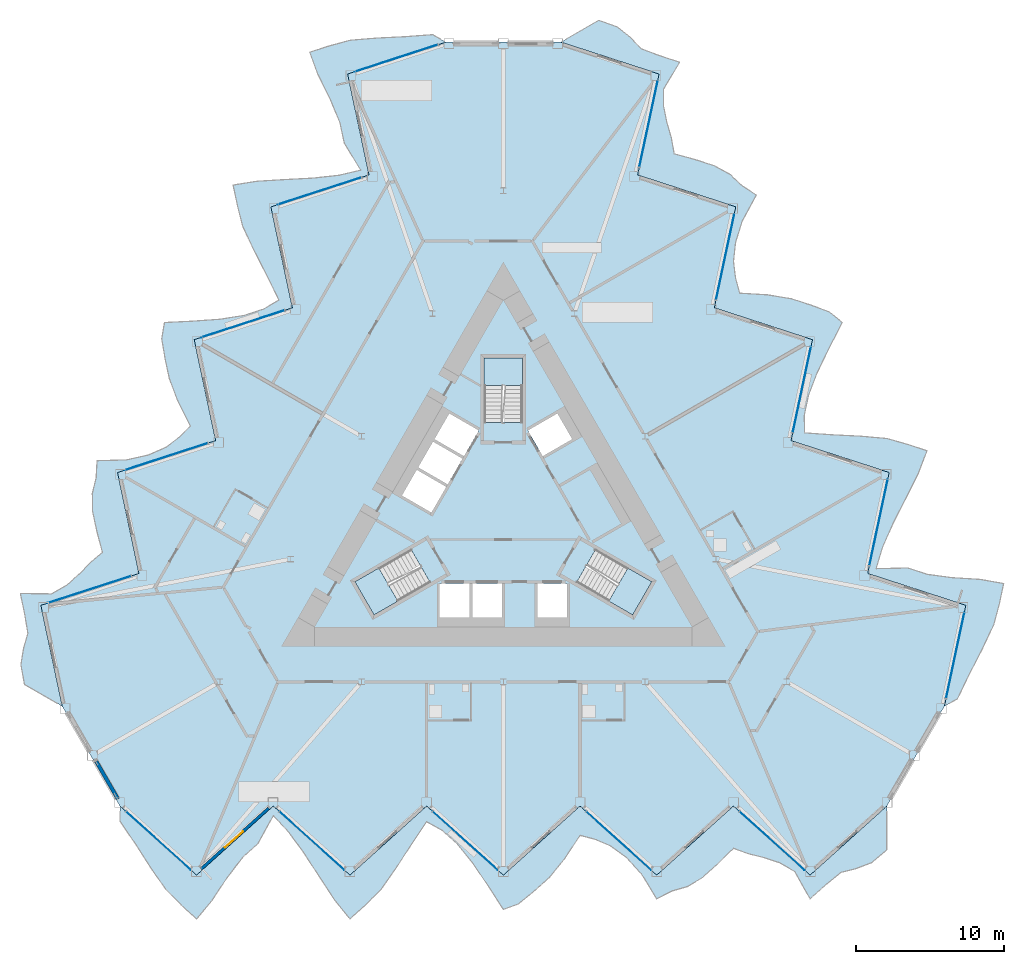
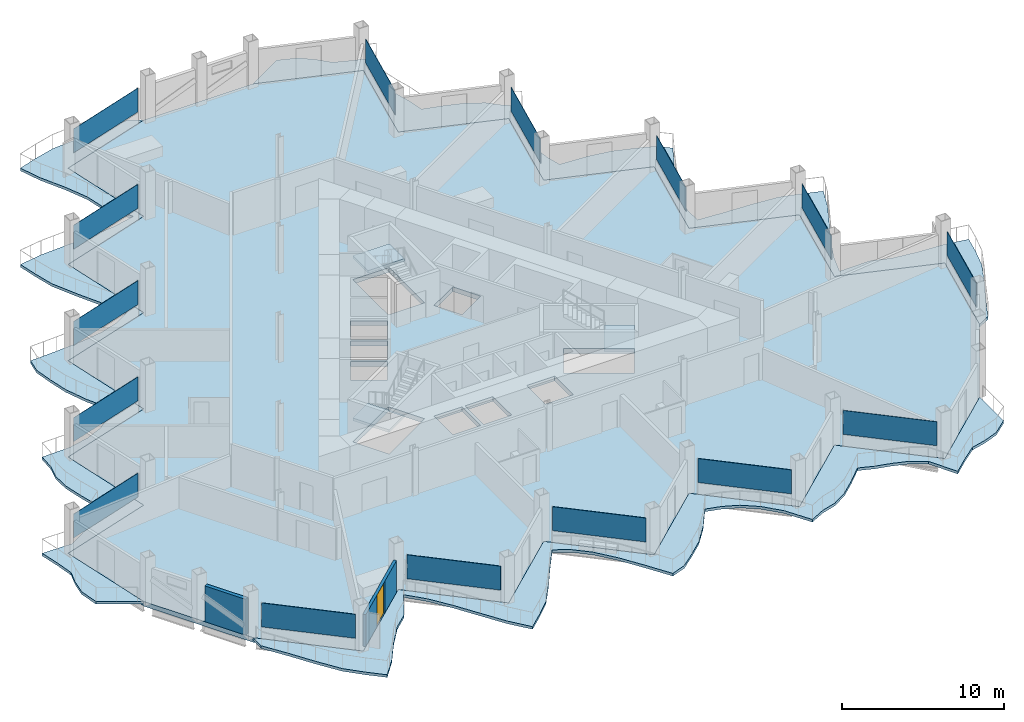
# One storey, part 10 of 23: 15 plates, 7 slabs, 2 walls, 1 door, 1 opening, 18 elements without a shape of their own.
"""IFC4 building model written with IfcOpenShell, lengths in metres."""

from ifc_helpers import new_model, si_unit, direction, frame, frame_2d, origin, origin_2d, place, context, subcontext, project, spatial, polyline, rectangle, outline, extrude, material, layer, layer_set, type_object, element, fill, aggregate, save


model = new_model("IFC4")

# Units and contexts
model_context = context("Model", 3, precision=1e-05, world=origin(), true_north=direction((0.0, 1.0)))
body_context = subcontext(model_context, "Body", "Model", "MODEL_VIEW")
ifc_project = project(units=[si_unit("LENGTHUNIT", "METRE"), si_unit("AREAUNIT", "SQUARE_METRE"), si_unit("VOLUMEUNIT", "CUBIC_METRE"), si_unit("PLANEANGLEUNIT", "RADIAN"), si_unit("MASSUNIT", "GRAM", prefix="KILO")], contexts=[model_context])

# Site, building, storey
site_placement = place(None, origin())
site = spatial("IfcSite", under=ifc_project, at=site_placement, CompositionType="ELEMENT")
building_placement = place(site_placement, origin())
building = spatial("IfcBuilding", under=site, at=building_placement, Name="Cormorant Prow Tower", CompositionType="ELEMENT")
storey_placement = place(building_placement, frame((0.0, 0.0, 267.0)))
storey = spatial("IfcBuildingStorey", under=building, at=storey_placement, Name="L60", CompositionType="ELEMENT", Elevation=267.0)

# Slabs
ifc_material_1 = material(Name="Concrete C40/50", Category="concrete")
ifc_layer_1 = layer(ifc_material_1, 0.199951171875)
ifc_layer_set_1 = layer_set([ifc_layer_1], Name="Concrete C40/50")
slab_type_1 = type_object("IfcSlabType", Name="Balcony slab 200", PredefinedType="FLOOR", material=ifc_layer_set_1)
slab_1_placement = place(storey_placement, frame((0.0, 0.0, -0.199951171875)))
element("IfcSlab", 1, at=slab_1_placement, inside=storey, type_object=slab_type_1, Name="Balcony slab S L60", PredefinedType="FLOOR", context=body_context, shape_type="SweptSolid", body=[
    extrude(outline(polyline([(-25.913330078125, -19.456298828125), (-25.913330078125, -20.472412109375), (-24.876953125, -21.995361328125), (-23.84033203125, -23.604248046875), (-22.8037109375, -25.101806640625), (-21.767333984375, -26.139404296875), (-20.730712890625, -27.07275390625), (-19.694091796875, -25.836669921875), (-18.65771484375, -24.27197265625), (-17.62109375, -22.9228515625), (-16.58447265625, -21.989501953125), (-15.548095703125, -20.1064453125), (-14.511474609375, -21.20947265625), (-13.474853515625, -22.628173828125), (-12.4384765625, -24.22119140625), (-11.40185546875, -25.794921875), (-10.365234375, -27.07275390625), (-9.328857421875, -26.139404296875), (-8.292236328125, -25.13427734375), (-7.255859375, -23.652587890625), (-6.21923828125, -22.045166015625), (-5.1826171875, -20.50927734375), (-4.146240234375, -21.087890625), (-3.109619140625, -22.017822265625), (-2.072998046875, -23.300537109375), (-1.03662109375, -24.833740234375), (0.0, -26.441650390625), (1.03662109375, -26.060302734375), (2.072998046875, -25.206298828125), (3.109619140625, -24.27294921875), (4.146240234375, -23.004638671875), (5.1826171875, -21.432861328125), (6.21923828125, -21.705322265625), (7.255859375, -22.148681640625), (8.292236328125, -22.90625), (9.328857421875, -24.029541015625), (10.365234375, -25.722900390625), (11.40185546875, -25.19384765625), (12.4384765625, -24.893798828125), (13.474853515625, -24.27294921875), (14.511474609375, -23.339599609375), (15.548095703125, -22.309326171875), (16.58447265625, -22.68212890625), (17.62109375, -22.93994140625), (18.65771484375, -23.280517578125), (19.694091796875, -23.87744140625), (20.730712890625, -25.722900390625), (21.767333984375, -24.78955078125), (22.8037109375, -23.93896484375), (23.84033203125, -23.678466796875), (24.876953125, -23.28466796875), (25.913330078125, -22.40625), (25.913330078125, -19.456298828125), (24.876953125, -20.3896484375), (23.84033203125, -21.322998046875), (22.8037109375, -22.256103515625), (21.767333984375, -23.189453125), (20.730712890625, -24.122802734375), (19.694091796875, -23.189453125), (18.65771484375, -22.256103515625), (17.62109375, -21.322998046875), (16.58447265625, -20.3896484375), (15.548095703125, -19.456298828125), (14.511474609375, -20.3896484375), (13.474853515625, -21.322998046875), (12.4384765625, -22.256103515625), (11.40185546875, -23.189453125), (10.365234375, -24.122802734375), (9.328857421875, -23.189453125), (8.292236328125, -22.256103515625), (7.255859375, -21.322998046875), (6.21923828125, -20.3896484375), (5.1826171875, -19.456298828125), (4.146240234375, -20.3896484375), (3.109619140625, -21.322998046875), (2.072998046875, -22.256103515625), (1.03662109375, -23.189453125), (0.0, -24.122802734375), (-1.03662109375, -23.189453125), (-2.072998046875, -22.256103515625), (-3.109619140625, -21.322998046875), (-4.146240234375, -20.3896484375), (-5.1826171875, -19.456298828125), (-6.21923828125, -20.3896484375), (-7.255859375, -21.322998046875), (-8.292236328125, -22.256103515625), (-9.328857421875, -23.189453125), (-10.365234375, -24.122802734375), (-11.40185546875, -23.189453125), (-12.4384765625, -22.256103515625), (-13.474853515625, -21.322998046875), (-14.511474609375, -20.3896484375), (-15.548095703125, -19.456298828125), (-16.58447265625, -20.3896484375), (-17.62109375, -21.322998046875), (-18.65771484375, -22.256103515625), (-19.694091796875, -23.189453125), (-20.730712890625, -24.122802734375), (-21.767333984375, -23.189453125), (-22.8037109375, -22.256103515625), (-23.84033203125, -21.322998046875), (-24.876953125, -20.3896484375), (-25.913330078125, -19.456298828125)])), origin(), (0.0, 0.0, 1.0), 0.199951171875),
])
slab_2_placement = place(storey_placement, frame((0.0, 0.0, -0.199951171875)))
element("IfcSlab", 2, at=slab_2_placement, inside=storey, type_object=slab_type_1, Name="Balcony slab ENE L60", PredefinedType="FLOOR", context=body_context, shape_type="SweptSolid", body=[
    extrude(outline(polyline([(29.806396484375, -12.71337890625), (30.686279296875, -12.205322265625), (31.48681640625, -10.54638671875), (32.362060546875, -8.84423828125), (33.140625, -7.19775390625), (33.52099609375, -5.78125), (33.81103515625, -4.4169921875), (32.22216796875, -4.137451171875), (30.34912109375, -4.02197265625), (28.662353515625, -3.798828125), (27.3359375, -3.367919921875), (25.186767578125, -3.41162109375), (25.62353515625, -1.962646484375), (26.334228515625, -0.35546875), (27.1953125, 1.338623046875), (28.0400390625, 3.023193359375), (28.62841796875, 4.559814453125), (27.3017578125, 4.99072265625), (25.9130859375, 5.3857421875), (24.111572265625, 5.542724609375), (22.201416015625, 5.63671875), (20.352783203125, 5.766357421875), (20.335693359375, 6.953125), (20.622802734375, 8.31591796875), (21.215576171875, 9.85498046875), (22.02490234375, 11.51904296875), (22.899169921875, 13.220703125), (22.050537109375, 13.927734375), (20.792724609375, 14.3984375), (19.466064453125, 14.829345703125), (17.849609375, 15.093017578125), (15.969970703125, 15.204833984375), (15.687744140625, 16.238525390625), (15.553466796875, 17.35791015625), (15.691162109375, 18.634521484375), (16.14599609375, 20.09375), (17.093994140625, 21.838134765625), (16.117431640625, 22.47119140625), (15.339599609375, 23.218994140625), (14.283447265625, 23.80615234375), (12.95703125, 24.237060546875), (11.54638671875, 24.61962890625), (11.35107421875, 25.70361328125), (11.05615234375, 26.730224609375), (10.832763671875, 27.79833984375), (10.831298828125, 28.994384765625), (11.9111328125, 30.814697265625), (10.584716796875, 31.245849609375), (9.329833984375, 31.71826171875), (8.586181640625, 32.485595703125), (7.726806640625, 33.186279296875), (6.44775390625, 33.644775390625), (3.89306640625, 32.169677734375), (5.219482421875, 31.73876953125), (6.5458984375, 31.307861328125), (7.87255859375, 30.876708984375), (9.198974609375, 30.44580078125), (10.525634765625, 30.0146484375), (10.235595703125, 28.650390625), (9.945556640625, 27.2861328125), (9.655517578125, 25.921875), (9.36572265625, 24.557373046875), (9.07568359375, 23.193115234375), (10.402099609375, 22.76220703125), (11.728759765625, 22.3310546875), (13.05517578125, 21.900146484375), (14.3818359375, 21.468994140625), (15.708251953125, 21.0380859375), (15.418212890625, 19.673828125), (15.128173828125, 18.309326171875), (14.83837890625, 16.945068359375), (14.54833984375, 15.580810546875), (14.25830078125, 14.216552734375), (15.5849609375, 13.785400390625), (16.911376953125, 13.3544921875), (18.23779296875, 12.92333984375), (19.564453125, 12.492431640625), (20.890869140625, 12.061279296875), (20.60107421875, 10.697021484375), (20.31103515625, 9.332763671875), (20.02099609375, 7.968505859375), (19.73095703125, 6.604248046875), (19.44091796875, 5.23974609375), (20.767578125, 4.808837890625), (22.093994140625, 4.377685546875), (23.420654296875, 3.94677734375), (24.7470703125, 3.515869140625), (26.07373046875, 3.084716796875), (25.78369140625, 1.720458984375), (25.49365234375, 0.356201171875), (25.20361328125, -1.00830078125), (24.91357421875, -2.37255859375), (24.623779296875, -3.73681640625), (25.9501953125, -4.16796875), (27.276611328125, -4.598876953125), (28.603271484375, -5.02978515625), (29.9296875, -5.4609375), (31.25634765625, -5.891845703125), (30.96630859375, -7.25634765625), (30.67626953125, -8.62060546875), (30.38623046875, -9.98486328125), (30.096435546875, -11.34912109375), (29.806396484375, -12.71337890625)])), origin(), (0.0, 0.0, 1.0), 0.199951171875),
])
slab_3_placement = place(storey_placement, frame((0.0, 0.0, -0.199951171875)))
element("IfcSlab", 3, at=slab_3_placement, inside=storey, type_object=slab_type_1, Name="Balcony slab WNW L60", PredefinedType="FLOOR", context=body_context, shape_type="SweptSolid", body=[
    extrude(outline(polyline([(-3.89306640625, 32.169677734375), (-4.77294921875, 32.677734375), (-6.610107421875, 32.541748046875), (-8.521728515625, 32.448486328125), (-10.3369140625, 32.299560546875), (-11.75390625, 31.920654296875), (-13.080322265625, 31.48974609375), (-12.528076171875, 29.973876953125), (-11.69140625, 28.2939453125), (-11.041259765625, 26.7216796875), (-10.751220703125, 25.357421875), (-9.638671875, 23.518310546875), (-11.112060546875, 23.172119140625), (-12.859130859375, 22.98388671875), (-14.7568359375, 22.882568359375), (-16.63818359375, 22.771728515625), (-18.262939453125, 22.512939453125), (-17.97314453125, 21.148681640625), (-17.620849609375, 19.74853515625), (-16.85595703125, 18.10986328125), (-15.982177734375, 16.40869140625), (-15.170166015625, 14.742919921875), (-16.189453125, 14.134521484375), (-17.51318359375, 13.701904296875), (-19.142333984375, 13.445556640625), (-20.98828125, 13.314453125), (-22.899169921875, 13.220703125), (-23.087158203125, 12.132568359375), (-22.86572265625, 10.807861328125), (-22.57568359375, 9.443359375), (-21.995849609375, 7.91162109375), (-21.15283203125, 6.22802734375), (-21.906982421875, 5.466552734375), (-22.80908203125, 4.79052734375), (-23.983642578125, 4.271728515625), (-25.474609375, 3.935791015625), (-27.459228515625, 3.884765625), (-27.519287109375, 2.72265625), (-27.77783203125, 1.675048828125), (-27.758544921875, 0.466796875), (-27.468505859375, -0.8974609375), (-27.094482421875, -2.310302734375), (-27.935546875, -3.021484375), (-28.67724609375, -3.790283203125), (-29.490478515625, -4.517578125), (-30.525634765625, -5.116943359375), (-32.641845703125, -5.091796875), (-32.35205078125, -6.456298828125), (-32.1337890625, -7.779052734375), (-32.426513671875, -8.80712890625), (-32.603515625, -9.901611328125), (-32.361083984375, -11.238525390625), (-29.806396484375, -12.71337890625), (-30.096435546875, -11.34912109375), (-30.38623046875, -9.98486328125), (-30.67626953125, -8.62060546875), (-30.96630859375, -7.25634765625), (-31.25634765625, -5.891845703125), (-29.9296875, -5.4609375), (-28.603271484375, -5.02978515625), (-27.276611328125, -4.598876953125), (-25.9501953125, -4.16796875), (-24.623779296875, -3.73681640625), (-24.91357421875, -2.37255859375), (-25.20361328125, -1.00830078125), (-25.49365234375, 0.356201171875), (-25.78369140625, 1.720458984375), (-26.07373046875, 3.084716796875), (-24.7470703125, 3.515869140625), (-23.420654296875, 3.94677734375), (-22.093994140625, 4.377685546875), (-20.767578125, 4.808837890625), (-19.44091796875, 5.23974609375), (-19.73095703125, 6.604248046875), (-20.02099609375, 7.968505859375), (-20.31103515625, 9.332763671875), (-20.60107421875, 10.697021484375), (-20.890869140625, 12.061279296875), (-19.564453125, 12.492431640625), (-18.23779296875, 12.92333984375), (-16.911376953125, 13.3544921875), (-15.5849609375, 13.785400390625), (-14.25830078125, 14.216552734375), (-14.54833984375, 15.580810546875), (-14.83837890625, 16.945068359375), (-15.128173828125, 18.309326171875), (-15.418212890625, 19.673828125), (-15.708251953125, 21.0380859375), (-14.3818359375, 21.468994140625), (-13.05517578125, 21.900146484375), (-11.728759765625, 22.3310546875), (-10.402099609375, 22.76220703125), (-9.07568359375, 23.193115234375), (-9.36572265625, 24.557373046875), (-9.655517578125, 25.921875), (-9.945556640625, 27.2861328125), (-10.235595703125, 28.650390625), (-10.525634765625, 30.0146484375), (-9.198974609375, 30.44580078125), (-7.87255859375, 30.876708984375), (-6.5458984375, 31.307861328125), (-5.219482421875, 31.73876953125), (-3.89306640625, 32.169677734375)])), origin(), (0.0, 0.0, 1.0), 0.199951171875),
])

# Curtain wall, plate
ifc_material_2 = material(Name="Aluminium 6063-T6", Category="aluminium")
ifc_layer_2 = layer(ifc_material_2, 0.179931640625)
ifc_layer_set_2 = layer_set([ifc_layer_2], Name="Aluminium 6063-T6")
curtain_wall_type = type_object("IfcCurtainWallType", Name="Hotel unitised curtain wall 180", PredefinedType="NOTDEFINED", material=ifc_layer_set_2)
curtain_wall_1_placement = place(storey_placement, origin())
curtain_wall_1 = element("IfcCurtainWall", 4, at=curtain_wall_1_placement, inside=storey, type_object=curtain_wall_type, Name="Hotel curtain wall S00", PredefinedType="NOTDEFINED")
ifc_material_3 = material(Name="Clear glass", Category="glass")
ifc_layer_3 = layer(ifc_material_3, 0.028076171875)
ifc_layer_set_3 = layer_set([ifc_layer_3], Name="Clear glass")
plate_type = type_object("IfcPlateType", Name="Hotel glass panel 28", PredefinedType="CURTAIN_PANEL", material=ifc_layer_set_3)
plate_1_placement = place(storey_placement, frame((-23.2998046875, -21.8095703125, 0.900146484375), z_axis=(0.0, 0.0, 1.0), x_axis=(0.743144856192, -0.669130572247, 0.0)))
plate_1 = element("IfcPlate", 5, at=plate_1_placement, type_object=plate_type, Name="Hotel glass panel S00", PredefinedType="CURTAIN_PANEL", context=body_context, shape_type="SweptSolid", body=[
    extrude(rectangle(XDim=5.911865234375, YDim=0.028076171875, at=origin_2d()), origin(), (0.0, 0.0, 1.0), 1.80078125),
])
aggregate(curtain_wall_1, [plate_1])

curtain_wall_2_placement = place(storey_placement, origin())
curtain_wall_2 = element("IfcCurtainWall", 6, at=curtain_wall_2_placement, inside=storey, type_object=curtain_wall_type, Name="Hotel curtain wall S02", PredefinedType="NOTDEFINED")
plate_2_placement = place(storey_placement, frame((-12.934326171875, -21.8095703125, 0.900146484375), z_axis=(0.0, 0.0, 1.0), x_axis=(0.743144920389, -0.669130500949, 0.0)))
plate_2 = element("IfcPlate", 7, at=plate_2_placement, type_object=plate_type, Name="Hotel glass panel S02", PredefinedType="CURTAIN_PANEL", context=body_context, shape_type="SweptSolid", body=[
    extrude(rectangle(XDim=5.911865234375, YDim=0.028076171875, at=origin_2d()), origin(), (0.0, 0.0, 1.0), 1.80078125),
])
aggregate(curtain_wall_2, [plate_2])

curtain_wall_3_placement = place(storey_placement, origin())
curtain_wall_3 = element("IfcCurtainWall", 8, at=curtain_wall_3_placement, inside=storey, type_object=curtain_wall_type, Name="Hotel curtain wall S04", PredefinedType="NOTDEFINED")
plate_3_placement = place(storey_placement, frame((-2.569091796875, -21.8095703125, 0.900146484375), z_axis=(0.0, 0.0, 1.0), x_axis=(0.743144856192, -0.669130572247, 0.0)))
plate_3 = element("IfcPlate", 9, at=plate_3_placement, type_object=plate_type, Name="Hotel glass panel S04", PredefinedType="CURTAIN_PANEL", context=body_context, shape_type="SweptSolid", body=[
    extrude(rectangle(XDim=5.911865234375, YDim=0.028076171875, at=origin_2d()), origin(), (0.0, 0.0, 1.0), 1.80078125),
])
aggregate(curtain_wall_3, [plate_3])

curtain_wall_4_placement = place(storey_placement, origin())
curtain_wall_4 = element("IfcCurtainWall", 10, at=curtain_wall_4_placement, inside=storey, type_object=curtain_wall_type, Name="Hotel curtain wall S06", PredefinedType="NOTDEFINED")
plate_4_placement = place(storey_placement, frame((7.79638671875, -21.8095703125, 0.900146484375), z_axis=(0.0, 0.0, 1.0), x_axis=(0.743144856192, -0.669130572247, 0.0)))
plate_4 = element("IfcPlate", 11, at=plate_4_placement, type_object=plate_type, Name="Hotel glass panel S06", PredefinedType="CURTAIN_PANEL", context=body_context, shape_type="SweptSolid", body=[
    extrude(rectangle(XDim=5.911865234375, YDim=0.028076171875, at=origin_2d()), origin(), (0.0, 0.0, 1.0), 1.80078125),
])
aggregate(curtain_wall_4, [plate_4])

curtain_wall_5_placement = place(storey_placement, origin())
curtain_wall_5 = element("IfcCurtainWall", 12, at=curtain_wall_5_placement, inside=storey, type_object=curtain_wall_type, Name="Hotel curtain wall S08", PredefinedType="NOTDEFINED")
plate_5_placement = place(storey_placement, frame((18.16162109375, -21.8095703125, 0.900146484375), z_axis=(0.0, 0.0, 1.0), x_axis=(0.743144856192, -0.669130572247, 0.0)))
plate_5 = element("IfcPlate", 13, at=plate_5_placement, type_object=plate_type, Name="Hotel glass panel S08", PredefinedType="CURTAIN_PANEL", context=body_context, shape_type="SweptSolid", body=[
    extrude(rectangle(XDim=5.911865234375, YDim=0.028076171875, at=origin_2d()), origin(), (0.0, 0.0, 1.0), 1.80078125),
])
aggregate(curtain_wall_5, [plate_5])

curtain_wall_6_placement = place(storey_placement, origin())
curtain_wall_6 = element("IfcCurtainWall", 14, at=curtain_wall_6_placement, inside=storey, type_object=curtain_wall_type, Name="Hotel curtain wall ENE00", PredefinedType="NOTDEFINED")
plate_6_placement = place(storey_placement, frame((30.53759765625, -9.2734375, 0.900146484375), z_axis=(0.0, 0.0, 1.0), x_axis=(0.20791174707, 0.978147588777, 0.0)))
plate_6 = element("IfcPlate", 15, at=plate_6_placement, type_object=plate_type, Name="Hotel glass panel ENE00", PredefinedType="CURTAIN_PANEL", context=body_context, shape_type="SweptSolid", body=[
    extrude(rectangle(XDim=5.911865234375, YDim=0.028076171875, at=origin_2d()), origin(), (0.0, 0.0, 1.0), 1.80078125),
])
aggregate(curtain_wall_6, [plate_6])

curtain_wall_7_placement = place(storey_placement, origin())
curtain_wall_7 = element("IfcCurtainWall", 16, at=curtain_wall_7_placement, inside=storey, type_object=curtain_wall_type, Name="Hotel curtain wall ENE02", PredefinedType="NOTDEFINED")
plate_7_placement = place(storey_placement, frame((25.35498046875, -0.296630859375, 0.900146484375), z_axis=(0.0, 0.0, 1.0), x_axis=(0.207911717911, 0.978147594975, 0.0)))
plate_7 = element("IfcPlate", 17, at=plate_7_placement, type_object=plate_type, Name="Hotel glass panel ENE02", PredefinedType="CURTAIN_PANEL", context=body_context, shape_type="SweptSolid", body=[
    extrude(rectangle(XDim=5.911865234375, YDim=0.028076171875, at=origin_2d()), origin(), (0.0, 0.0, 1.0), 1.80078125),
])
aggregate(curtain_wall_7, [plate_7])

curtain_wall_8_placement = place(storey_placement, origin())
curtain_wall_8 = element("IfcCurtainWall", 18, at=curtain_wall_8_placement, inside=storey, type_object=curtain_wall_type, Name="Hotel curtain wall ENE04", PredefinedType="NOTDEFINED")
plate_8_placement = place(storey_placement, frame((20.172119140625, 8.679931640625, 0.900146484375), z_axis=(0.0, 0.0, 1.0), x_axis=(0.20791174707, 0.978147588777, 0.0)))
plate_8 = element("IfcPlate", 19, at=plate_8_placement, type_object=plate_type, Name="Hotel glass panel ENE04", PredefinedType="CURTAIN_PANEL", context=body_context, shape_type="SweptSolid", body=[
    extrude(rectangle(XDim=5.911865234375, YDim=0.028076171875, at=origin_2d()), origin(), (0.0, 0.0, 1.0), 1.80078125),
])
aggregate(curtain_wall_8, [plate_8])

curtain_wall_9_placement = place(storey_placement, origin())
curtain_wall_9 = element("IfcCurtainWall", 20, at=curtain_wall_9_placement, inside=storey, type_object=curtain_wall_type, Name="Hotel curtain wall ENE06", PredefinedType="NOTDEFINED")
plate_9_placement = place(storey_placement, frame((14.989501953125, 17.656494140625, 0.900146484375), z_axis=(0.0, 0.0, 1.0), x_axis=(0.207911717911, 0.978147594975, 0.0)))
plate_9 = element("IfcPlate", 21, at=plate_9_placement, type_object=plate_type, Name="Hotel glass panel ENE06", PredefinedType="CURTAIN_PANEL", context=body_context, shape_type="SweptSolid", body=[
    extrude(rectangle(XDim=5.911865234375, YDim=0.028076171875, at=origin_2d()), origin(), (0.0, 0.0, 1.0), 1.80078125),
])
aggregate(curtain_wall_9, [plate_9])

curtain_wall_10_placement = place(storey_placement, origin())
curtain_wall_10 = element("IfcCurtainWall", 22, at=curtain_wall_10_placement, inside=storey, type_object=curtain_wall_type, Name="Hotel curtain wall ENE08", PredefinedType="NOTDEFINED")
plate_10_placement = place(storey_placement, frame((9.806884765625, 26.63330078125, 0.900146484375), z_axis=(0.0, 0.0, 1.0), x_axis=(0.20791160988, 0.978147617938, 0.0)))
plate_10 = element("IfcPlate", 23, at=plate_10_placement, type_object=plate_type, Name="Hotel glass panel ENE08", PredefinedType="CURTAIN_PANEL", context=body_context, shape_type="SweptSolid", body=[
    extrude(rectangle(XDim=5.911865234375, YDim=0.028076171875, at=origin_2d()), origin(), (0.0, 0.0, 1.0), 1.80078125),
])
aggregate(curtain_wall_10, [plate_10])

curtain_wall_11_placement = place(storey_placement, origin())
curtain_wall_11 = element("IfcCurtainWall", 24, at=curtain_wall_11_placement, inside=storey, type_object=curtain_wall_type, Name="Hotel curtain wall WNW00", PredefinedType="NOTDEFINED")
plate_11_placement = place(storey_placement, frame((-7.23779296875, 31.0830078125, 0.900146484375), z_axis=(0.0, 0.0, 1.0), x_axis=(-0.95105650148, -0.309017039973, 0.0)))
plate_11 = element("IfcPlate", 25, at=plate_11_placement, type_object=plate_type, Name="Hotel glass panel WNW00", PredefinedType="CURTAIN_PANEL", context=body_context, shape_type="SweptSolid", body=[
    extrude(rectangle(XDim=5.911865234375, YDim=0.028076171875, at=origin_2d()), origin(), (0.0, 0.0, 1.0), 1.80078125),
])
aggregate(curtain_wall_11, [plate_11])

curtain_wall_12_placement = place(storey_placement, origin())
curtain_wall_12 = element("IfcCurtainWall", 26, at=curtain_wall_12_placement, inside=storey, type_object=curtain_wall_type, Name="Hotel curtain wall WNW02", PredefinedType="NOTDEFINED")
plate_12_placement = place(storey_placement, frame((-12.42041015625, 22.1064453125, 0.900146484375), z_axis=(0.0, 0.0, 1.0), x_axis=(-0.951056515173, -0.309016997828, 0.0)))
plate_12 = element("IfcPlate", 27, at=plate_12_placement, type_object=plate_type, Name="Hotel glass panel WNW02", PredefinedType="CURTAIN_PANEL", context=body_context, shape_type="SweptSolid", body=[
    extrude(rectangle(XDim=5.911865234375, YDim=0.028076171875, at=origin_2d()), origin(), (0.0, 0.0, 1.0), 1.80078125),
])
aggregate(curtain_wall_12, [plate_12])

curtain_wall_13_placement = place(storey_placement, origin())
curtain_wall_13 = element("IfcCurtainWall", 28, at=curtain_wall_13_placement, inside=storey, type_object=curtain_wall_type, Name="Hotel curtain wall WNW04", PredefinedType="NOTDEFINED")
plate_13_placement = place(storey_placement, frame((-17.603271484375, 13.129638671875, 0.900146484375), z_axis=(0.0, 0.0, 1.0), x_axis=(-0.951056515173, -0.309016997828, 0.0)))
plate_13 = element("IfcPlate", 29, at=plate_13_placement, type_object=plate_type, Name="Hotel glass panel WNW04", PredefinedType="CURTAIN_PANEL", context=body_context, shape_type="SweptSolid", body=[
    extrude(rectangle(XDim=5.911865234375, YDim=0.028076171875, at=origin_2d()), origin(), (0.0, 0.0, 1.0), 1.80078125),
])
aggregate(curtain_wall_13, [plate_13])

curtain_wall_14_placement = place(storey_placement, origin())
curtain_wall_14 = element("IfcCurtainWall", 30, at=curtain_wall_14_placement, inside=storey, type_object=curtain_wall_type, Name="Hotel curtain wall WNW06", PredefinedType="NOTDEFINED")
plate_14_placement = place(storey_placement, frame((-22.785888671875, 4.153076171875, 0.900146484375), z_axis=(0.0, 0.0, 1.0), x_axis=(-0.951056515173, -0.309016997828, 0.0)))
plate_14 = element("IfcPlate", 31, at=plate_14_placement, type_object=plate_type, Name="Hotel glass panel WNW06", PredefinedType="CURTAIN_PANEL", context=body_context, shape_type="SweptSolid", body=[
    extrude(rectangle(XDim=5.911865234375, YDim=0.028076171875, at=origin_2d()), origin(), (0.0, 0.0, 1.0), 1.80078125),
])
aggregate(curtain_wall_14, [plate_14])

curtain_wall_15_placement = place(storey_placement, origin())
curtain_wall_15 = element("IfcCurtainWall", 32, at=curtain_wall_15_placement, inside=storey, type_object=curtain_wall_type, Name="Hotel curtain wall WNW08", PredefinedType="NOTDEFINED")
plate_15_placement = place(storey_placement, frame((-27.968505859375, -4.82373046875, 0.900146484375), z_axis=(0.0, 0.0, 1.0), x_axis=(-0.951056515173, -0.309016997828, 0.0)))
plate_15 = element("IfcPlate", 33, at=plate_15_placement, type_object=plate_type, Name="Hotel glass panel WNW08", PredefinedType="CURTAIN_PANEL", context=body_context, shape_type="SweptSolid", body=[
    extrude(rectangle(XDim=5.911865234375, YDim=0.028076171875, at=origin_2d()), origin(), (0.0, 0.0, 1.0), 1.80078125),
])
aggregate(curtain_wall_15, [plate_15])

# Slab
ifc_material_4 = material(Name="Concrete C40/50", Category="concrete")
ifc_layer_4 = layer(ifc_material_4, 0.35009765625)
ifc_layer_set_4 = layer_set([ifc_layer_4], Name="Concrete C40/50")
slab_type_2 = type_object("IfcSlabType", Name="Post-tensioned flat slab 350", PredefinedType="FLOOR", material=ifc_layer_set_4)
slab_4_placement = place(storey_placement, frame((0.0, 0.0, -0.35009765625)))
element("IfcSlab", 34, at=slab_4_placement, inside=storey, type_object=slab_type_2, Name="Floor slab L60", PredefinedType="FLOOR", context=body_context, shape_type="SweptSolid", body=[
    extrude(outline(polyline([(-9.07568359375, 23.193115234375), (-15.708251953125, 21.0380859375), (-14.25830078125, 14.216552734375), (-20.890869140625, 12.061279296875), (-19.44091796875, 5.23974609375), (-26.07373046875, 3.084716796875), (-24.623779296875, -3.73681640625), (-31.25634765625, -5.891845703125), (-29.806396484375, -12.71337890625), (-27.85986328125, -16.0849609375), (-25.913330078125, -19.456298828125), (-20.730712890625, -24.122802734375), (-15.548095703125, -19.456298828125), (-10.365234375, -24.122802734375), (-5.1826171875, -19.456298828125), (0.0, -24.122802734375), (5.1826171875, -19.456298828125), (10.365234375, -24.122802734375), (15.548095703125, -19.456298828125), (20.730712890625, -24.122802734375), (25.913330078125, -19.456298828125), (27.85986328125, -16.0849609375), (29.806396484375, -12.71337890625), (31.25634765625, -5.891845703125), (24.623779296875, -3.73681640625), (26.07373046875, 3.084716796875), (19.44091796875, 5.23974609375), (20.890869140625, 12.061279296875), (14.25830078125, 14.216552734375), (15.708251953125, 21.0380859375), (9.07568359375, 23.193115234375), (10.525634765625, 30.0146484375), (3.89306640625, 32.169677734375), (0.0, 32.169677734375), (-3.89306640625, 32.169677734375), (-10.525634765625, 30.0146484375), (-9.07568359375, 23.193115234375)]), holes=[polyline([(-4.300048828125, -4.39990234375), (-2.300048828125, -4.39990234375), (-2.300048828125, -6.699951171875), (-4.300048828125, -6.699951171875), (-4.300048828125, -4.39990234375)]), polyline([(-0.10009765625, -4.39990234375), (-0.10009765625, -6.699951171875), (-2.10009765625, -6.699951171875), (-2.10009765625, -4.39990234375), (-0.10009765625, -4.39990234375)]), polyline([(4.300048828125, -6.699951171875), (2.300048828125, -6.699951171875), (2.300048828125, -4.39990234375), (4.300048828125, -4.39990234375), (4.300048828125, -6.699951171875)]), polyline([(4.65234375, 5.341796875), (2.660400390625, 4.19189453125), (1.660400390625, 5.923828125), (3.65234375, 7.073974609375), (4.65234375, 5.341796875)]), polyline([(-1.660400390625, 5.923828125), (-2.660400390625, 4.19189453125), (-4.65234375, 5.341796875), (-3.65234375, 7.073974609375), (-1.660400390625, 5.923828125)]), polyline([(-3.760498046875, 2.28662109375), (-5.75244140625, 3.4365234375), (-4.75244140625, 5.168701171875), (-2.760498046875, 4.018798828125), (-3.760498046875, 2.28662109375)]), polyline([(-6.852294921875, 1.53125), (-5.852294921875, 3.263427734375), (-3.860595703125, 2.11328125), (-4.860595703125, 0.38134765625), (-6.852294921875, 1.53125)]), polyline([(-4.947509765625, -4.3505859375), (-8.738037109375, -6.5390625), (-10.031982421875, -4.2978515625), (-6.241455078125, -2.109375), (-4.947509765625, -4.3505859375)]), polyline([(10.031982421875, -4.2978515625), (8.738037109375, -6.5390625), (4.947509765625, -4.3505859375), (6.241455078125, -2.109375), (10.031982421875, -4.2978515625)]), polyline([(1.2939453125, 10.8369140625), (1.2939453125, 6.459716796875), (-1.2939453125, 6.459716796875), (-1.2939453125, 10.8369140625), (1.2939453125, 10.8369140625)])]), origin(), (0.0, 0.0, 1.0), 0.35009765625),
])

# Stair, slab
ifc_material_5 = material(Name="Exit stair 20 risers")
stair_type = type_object("IfcStairType", Name="Exit stair 20 risers", PredefinedType="HALF_TURN_STAIR", material=ifc_material_5)
stair_1_placement = place(storey_placement, origin())
stair_1 = element("IfcStair", 35, at=stair_1_placement, inside=storey, type_object=stair_type, Name="L60 Exit stair ST1", PredefinedType="HALF_TURN_STAIR")
ifc_material_6 = material(Name="Concrete 5000 psi", Category="concrete")
ifc_layer_5 = layer(ifc_material_6, 0.199951171875)
ifc_layer_set_5 = layer_set([ifc_layer_5], Name="Concrete 5000 psi")
slab_type_3 = type_object("IfcSlabType", Name="Stair landing 200", PredefinedType="LANDING", material=ifc_layer_set_5)
slab_5_placement = place(storey_placement, frame((0.0, 0.0, 1.60009765625)))
slab_5 = element("IfcSlab", 36, at=slab_5_placement, type_object=slab_type_3, Name="ST1 landing 1", PredefinedType="LANDING", context=body_context, shape_type="SweptSolid", body=[
    extrude(outline(polyline([(-8.416748046875, -3.365234375), (-10.031982421875, -4.2978515625), (-8.738037109375, -6.5390625), (-7.122802734375, -5.6064453125), (-8.416748046875, -3.365234375)])), origin(), (0.0, 0.0, 1.0), 0.199951171875),
])
aggregate(stair_1, [slab_5])

stair_2_placement = place(storey_placement, origin())
stair_2 = element("IfcStair", 37, at=stair_2_placement, inside=storey, type_object=stair_type, Name="L60 Exit stair ST2", PredefinedType="HALF_TURN_STAIR")
slab_6_placement = place(storey_placement, frame((0.0, 0.0, 1.60009765625)))
slab_6 = element("IfcSlab", 38, at=slab_6_placement, type_object=slab_type_3, Name="ST2 landing 1", PredefinedType="LANDING", context=body_context, shape_type="SweptSolid", body=[
    extrude(outline(polyline([(7.122802734375, -5.6064453125), (8.738037109375, -6.5390625), (10.031982421875, -4.2978515625), (8.416748046875, -3.365234375), (7.122802734375, -5.6064453125)])), origin(), (0.0, 0.0, 1.0), 0.199951171875),
])
aggregate(stair_2, [slab_6])

stair_3_placement = place(storey_placement, origin())
stair_3 = element("IfcStair", 39, at=stair_3_placement, inside=storey, type_object=stair_type, Name="L60 Exit stair ST3", PredefinedType="HALF_TURN_STAIR")
slab_7_placement = place(storey_placement, frame((0.0, 0.0, 1.60009765625)))
slab_7 = element("IfcSlab", 40, at=slab_7_placement, type_object=slab_type_3, Name="ST3 landing 1", PredefinedType="LANDING", context=body_context, shape_type="SweptSolid", body=[
    extrude(outline(polyline([(1.2939453125, 8.971923828125), (1.2939453125, 10.8369140625), (-1.2939453125, 10.8369140625), (-1.2939453125, 8.971923828125), (1.2939453125, 8.971923828125)])), origin(), (0.0, 0.0, 1.0), 0.199951171875),
])
aggregate(stair_3, [slab_7])

# Wall
ifc_material_7 = material(Name="Terracotta", Category="masonry")
ifc_layer_6 = layer(ifc_material_7, 0.25)
ifc_layer_set_6 = layer_set([ifc_layer_6], Name="Terracotta")
wall_type_1 = type_object("IfcWallType", Name="Terracotta bay wall 250", PredefinedType="SOLIDWALL", material=ifc_layer_set_6)
wall_1_placement = place(storey_placement, frame((-27.512939453125, -16.435546875, 0.0), z_axis=(0.0, 0.0, 1.0), x_axis=(0.499949632511, -0.866054481515, 0.0)))
element("IfcWall", 41, at=wall_1_placement, inside=storey, type_object=wall_type_1, Name="Terracotta bay wall WSW01", PredefinedType="SOLIDWALL", context=body_context, shape_type="SweptSolid", body=[
    extrude(rectangle(XDim=2.914794921875, YDim=0.25, at=frame_2d((1.45751953125, 0.0))), origin(), (0.0, 0.0, 1.0), 2.700927734375),
])

# Wall, opening, door
ifc_material_8 = material(Name="Terracotta", Category="masonry")
ifc_layer_7 = layer(ifc_material_8, 0.199951171875)
ifc_layer_set_7 = layer_set([ifc_layer_7], Name="Terracotta")
wall_type_2 = type_object("IfcWallType", Name="Terracotta jamb wall 200", PredefinedType="SOLIDWALL", material=ifc_layer_set_7)
wall_2_placement = place(storey_placement, frame((-20.42529296875, -23.713134765625, 0.0), z_axis=(0.0, 0.0, 1.0), x_axis=(0.74316565197, 0.669107475472, 0.0)))
wall_2 = element("IfcWall", 42, at=wall_2_placement, inside=storey, type_object=wall_type_2, Name="Terracotta jamb wall S01", PredefinedType="SOLIDWALL", context=body_context, shape_type="SweptSolid", body=[
    extrude(rectangle(XDim=6.1416015625, YDim=0.199951171875, at=frame_2d((3.07080078125, 0.0))), origin(), (0.0, 0.0, 1.0), 2.404296875),
])
opening_placement = place(wall_2_placement, frame((2.18603515625, 0.0, 0.0)))
opening = element("IfcOpeningElement", 43, at=opening_placement, cuts=wall_2, Name="Opening ED60.01", PredefinedType="OPENING", context=body_context, shape_type="SweptSolid", body=[
    extrude(rectangle(XDim=1.60009765625, YDim=2.39990234375, at=frame_2d((0.800048828125, 1.199951171875))), frame((0.0, 0.10986328125, 0.0), z_axis=(0.0, -1.0, 0.0), x_axis=(1.0, 0.0, 0.0)), (0.0, 0.0, 1.0), 0.219970703125),
])
ifc_material_9 = material(Name="Aluminium 6063-T6", Category="aluminium")
door_type = type_object("IfcDoorType", Name="Balcony door 1600x2400", OperationType="DOUBLE_DOOR_SINGLE_SWING", PredefinedType="DOOR", material=ifc_material_9)
door_placement = place(opening_placement, origin())
door = element("IfcDoor", 44, at=door_placement, inside=storey, type_object=door_type, Name="Balcony door S01 ED60.01", OperationType="DOUBLE_DOOR_SINGLE_SWING", OverallHeight=2.39990234375, OverallWidth=1.60009765625, PredefinedType="DOOR", context=body_context, shape_type="SweptSolid", body=[
    extrude(rectangle(XDim=1.60009765625, YDim=2.39990234375, at=frame_2d((0.800048828125, 1.199951171875))), frame((0.0, 0.02490234375, 0.0), z_axis=(0.0, -1.0, 0.0), x_axis=(1.0, 0.0, 0.0)), (0.0, 0.0, 1.0), 0.050048828125),
])
fill(opening, door)

save(model, "model.ifc")
